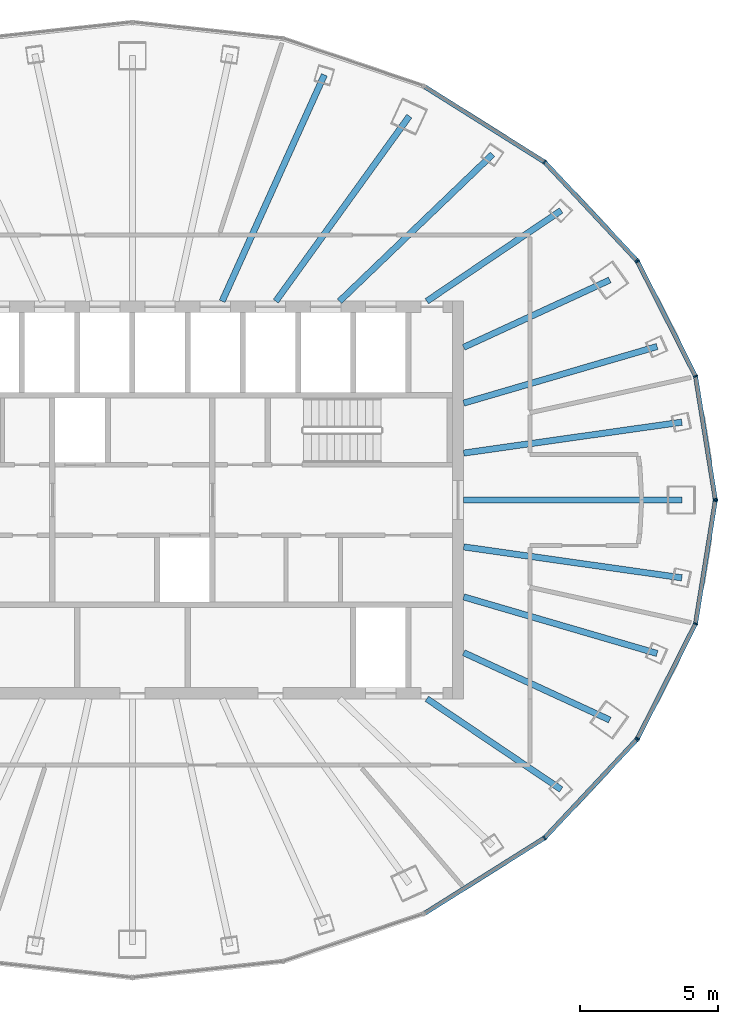
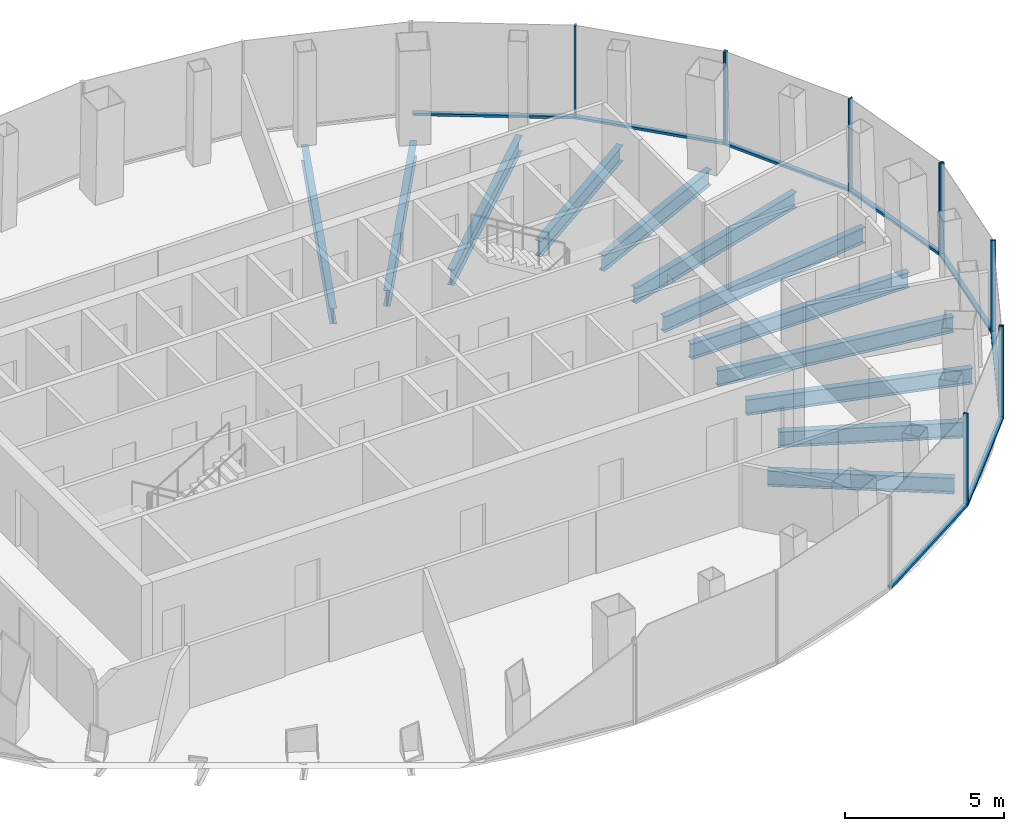
# One storey, part 5 of 11: 18 members, 12 beams, 4 elements without a shape of their own.
"""IFC4 building model written with IfcOpenShell, lengths in metres."""

from ifc_helpers import new_model, si_unit, direction, frame, origin, origin_2d, place, context, subcontext, project, spatial, rectangle, i_section, extrude, material, layer, layer_set, material_profile, profile_set, type_object, element, aggregate, save


model = new_model("IFC4")

# Units and contexts
model_context = context("Model", 3, precision=1e-05, world=origin(), true_north=direction((0.0, 1.0)))
body_context = subcontext(model_context, "Body", "Model", "MODEL_VIEW")
ifc_project = project(units=[si_unit("LENGTHUNIT", "METRE"), si_unit("AREAUNIT", "SQUARE_METRE"), si_unit("VOLUMEUNIT", "CUBIC_METRE"), si_unit("PLANEANGLEUNIT", "RADIAN"), si_unit("MASSUNIT", "GRAM", prefix="KILO")], contexts=[model_context])

# Site, building, storey
site_placement = place(None, origin())
site = spatial("IfcSite", under=ifc_project, at=site_placement, CompositionType="ELEMENT")
building_placement = place(site_placement, origin())
building = spatial("IfcBuilding", under=site, at=building_placement, Name="Siaravel Broadcast Tower", CompositionType="ELEMENT")
storey_placement = place(building_placement, frame((0.0, 0.0, 246.699951171875)))
storey = spatial("IfcBuildingStorey", under=building, at=storey_placement, Name="L60", CompositionType="ELEMENT", Elevation=246.699951171875)

# Beams
ifc_material_1 = material(Name="Steel S355", Category="steel")
ifc_material_profile_1 = material_profile(ifc_material_1, i_section(OverallWidth=0.2275390625, OverallDepth=0.6025390625, WebThickness=0.010498046875, FlangeThickness=0.014892578125, FilletRadius=0.0126953125, at=origin_2d()))
ifc_profile_set_1 = profile_set([ifc_material_profile_1], Name="Steel S355")
beam_type = type_object("IfcBeamType", Name="BM-UB 610x229x101", PredefinedType="BEAM", material=ifc_profile_set_1)
beam_1_placement = place(storey_placement, frame((19.90380859375, 0.0, -0.451171875), z_axis=(-1.0, 0.0, 0.0), x_axis=(0.0, -1.0, 0.0)))
element("IfcBeam", 1, at=beam_1_placement, inside=storey, type_object=beam_type, Name="Radial beam RB01", PredefinedType="BEAM", context=body_context, shape_type="SweptSolid", body=[
    extrude(i_section(OverallWidth=0.2275390625, OverallDepth=0.6025390625, WebThickness=0.010498046875, FlangeThickness=0.014892578125, FilletRadius=0.0126953125, at=origin_2d()), origin(), (0.0, 0.0, 1.0), 7.90380859375),
])
beam_2_placement = place(storey_placement, frame((19.902587890625, 2.819091796875, -0.451171875), z_axis=(-0.990116423, -0.140247885, 0.0), x_axis=(0.140247885, -0.990116423, 0.0)))
element("IfcBeam", 2, at=beam_2_placement, inside=storey, type_object=beam_type, Name="Radial beam RB02", PredefinedType="BEAM", context=body_context, shape_type="SweptSolid", body=[
    extrude(i_section(OverallWidth=0.2275390625, OverallDepth=0.6025390625, WebThickness=0.010498046875, FlangeThickness=0.014892578125, FilletRadius=0.0126953125, at=origin_2d()), origin(), (0.0, 0.0, 1.0), 7.9814453125),
])
beam_3_placement = place(storey_placement, frame((19.006103515625, 5.559326171875, -0.451171875), z_axis=(-0.959783576, -0.28074096, 0.0), x_axis=(0.28074096, -0.959783576, 0.0)))
element("IfcBeam", 3, at=beam_3_placement, inside=storey, type_object=beam_type, Name="Radial beam RB03", PredefinedType="BEAM", context=body_context, shape_type="SweptSolid", body=[
    extrude(i_section(OverallWidth=0.2275390625, OverallDepth=0.6025390625, WebThickness=0.010498046875, FlangeThickness=0.014892578125, FilletRadius=0.0126953125, at=origin_2d()), origin(), (0.0, 0.0, 1.0), 7.299560546875),
])
beam_4_placement = place(storey_placement, frame((17.290771484375, 7.968505859375, -0.451171875), z_axis=(-0.908198422, -0.418539875, 0.0), x_axis=(0.418539875, -0.908198422, 0.0)))
element("IfcBeam", 4, at=beam_4_placement, inside=storey, type_object=beam_type, Name="Radial beam RB04", PredefinedType="BEAM", context=body_context, shape_type="SweptSolid", body=[
    extrude(i_section(OverallWidth=0.2275390625, OverallDepth=0.6025390625, WebThickness=0.010498046875, FlangeThickness=0.014892578125, FilletRadius=0.0126953125, at=origin_2d()), origin(), (0.0, 0.0, 1.0), 5.82568359375),
])
beam_5_placement = place(storey_placement, frame((15.531005859375, 10.486328125, -0.451171875), z_axis=(-0.828780717, -0.559573518, 0.0), x_axis=(0.559573518, -0.828780717, 0.0)))
element("IfcBeam", 5, at=beam_5_placement, inside=storey, type_object=beam_type, Name="Radial beam RB05", PredefinedType="BEAM", context=body_context, shape_type="SweptSolid", body=[
    extrude(i_section(OverallWidth=0.2275390625, OverallDepth=0.6025390625, WebThickness=0.010498046875, FlangeThickness=0.014892578125, FilletRadius=0.0126953125, at=origin_2d()), origin(), (0.0, 0.0, 1.0), 5.873046875),
])
beam_6_placement = place(storey_placement, frame((13.0478515625, 12.52001953125, -0.451171875), z_axis=(-0.721555554, -0.692356543, 0.0), x_axis=(0.692356543, -0.721555554, 0.0)))
element("IfcBeam", 6, at=beam_6_placement, inside=storey, type_object=beam_type, Name="Radial beam RB06", PredefinedType="BEAM", context=body_context, shape_type="SweptSolid", body=[
    extrude(i_section(OverallWidth=0.2275390625, OverallDepth=0.6025390625, WebThickness=0.010498046875, FlangeThickness=0.014892578125, FilletRadius=0.0126953125, at=origin_2d()), origin(), (0.0, 0.0, 1.0), 7.68408203125),
])
beam_7_placement = place(storey_placement, frame((10.031494140625, 13.905029296875, -0.451171875), z_axis=(-0.585061371, -0.810989021, 0.0), x_axis=(0.810989021, -0.585061371, 0.0)))
element("IfcBeam", 7, at=beam_7_placement, inside=storey, type_object=beam_type, Name="Radial beam RB07", PredefinedType="BEAM", context=body_context, shape_type="SweptSolid", body=[
    extrude(i_section(OverallWidth=0.2275390625, OverallDepth=0.6025390625, WebThickness=0.010498046875, FlangeThickness=0.014892578125, FilletRadius=0.0126953125, at=origin_2d()), origin(), (0.0, 0.0, 1.0), 8.267822265625),
])
beam_8_placement = place(storey_placement, frame((6.955078125, 15.400390625, -0.451171875), z_axis=(-0.411581634, -0.911372898, 0.0), x_axis=(0.911372898, -0.411581634, 0.0)))
element("IfcBeam", 8, at=beam_8_placement, inside=storey, type_object=beam_type, Name="Radial beam RB08", PredefinedType="BEAM", context=body_context, shape_type="SweptSolid", body=[
    extrude(i_section(OverallWidth=0.2275390625, OverallDepth=0.6025390625, WebThickness=0.010498046875, FlangeThickness=0.014892578125, FilletRadius=0.0126953125, at=origin_2d()), origin(), (0.0, 0.0, 1.0), 8.997802734375),
])
beam_9_placement = place(storey_placement, frame((15.531005859375, -10.486328125, -0.451171875), z_axis=(-0.828780717, 0.559573518, 0.0), x_axis=(-0.559573518, -0.828780717, 0.0)))
element("IfcBeam", 9, at=beam_9_placement, inside=storey, type_object=beam_type, Name="Radial beam RB33", PredefinedType="BEAM", context=body_context, shape_type="SweptSolid", body=[
    extrude(i_section(OverallWidth=0.2275390625, OverallDepth=0.6025390625, WebThickness=0.010498046875, FlangeThickness=0.014892578125, FilletRadius=0.0126953125, at=origin_2d()), origin(), (0.0, 0.0, 1.0), 5.873046875),
])
beam_10_placement = place(storey_placement, frame((17.290771484375, -7.968505859375, -0.451171875), z_axis=(-0.908198422, 0.418539875, 0.0), x_axis=(-0.418539875, -0.908198422, 0.0)))
element("IfcBeam", 10, at=beam_10_placement, inside=storey, type_object=beam_type, Name="Radial beam RB34", PredefinedType="BEAM", context=body_context, shape_type="SweptSolid", body=[
    extrude(i_section(OverallWidth=0.2275390625, OverallDepth=0.6025390625, WebThickness=0.010498046875, FlangeThickness=0.014892578125, FilletRadius=0.0126953125, at=origin_2d()), origin(), (0.0, 0.0, 1.0), 5.82568359375),
])
beam_11_placement = place(storey_placement, frame((19.006103515625, -5.559326171875, -0.451171875), z_axis=(-0.959783576, 0.28074096, 0.0), x_axis=(-0.28074096, -0.959783576, 0.0)))
element("IfcBeam", 11, at=beam_11_placement, inside=storey, type_object=beam_type, Name="Radial beam RB35", PredefinedType="BEAM", context=body_context, shape_type="SweptSolid", body=[
    extrude(i_section(OverallWidth=0.2275390625, OverallDepth=0.6025390625, WebThickness=0.010498046875, FlangeThickness=0.014892578125, FilletRadius=0.0126953125, at=origin_2d()), origin(), (0.0, 0.0, 1.0), 7.299560546875),
])
beam_12_placement = place(storey_placement, frame((19.902587890625, -2.819091796875, -0.451171875), z_axis=(-0.990116423, 0.140247885, 0.0), x_axis=(-0.140247885, -0.990116423, 0.0)))
element("IfcBeam", 12, at=beam_12_placement, inside=storey, type_object=beam_type, Name="Radial beam RB36", PredefinedType="BEAM", context=body_context, shape_type="SweptSolid", body=[
    extrude(i_section(OverallWidth=0.2275390625, OverallDepth=0.6025390625, WebThickness=0.010498046875, FlangeThickness=0.014892578125, FilletRadius=0.0126953125, at=origin_2d()), origin(), (0.0, 0.0, 1.0), 7.9814453125),
])

# Curtain wall, members
ifc_material_2 = material(Name="Aluminium 6063-T6", Category="aluminium")
ifc_layer = layer(ifc_material_2, 0.159912109375)
ifc_layer_set = layer_set([ifc_layer], Name="Aluminium 6063-T6")
curtain_wall_type = type_object("IfcCurtainWallType", Name="Unitised curtain wall, zone 4", PredefinedType="NOTDEFINED", material=ifc_layer_set)
curtain_wall_1_placement = place(storey_placement, origin())
curtain_wall_1 = element("IfcCurtainWall", 13, at=curtain_wall_1_placement, inside=storey, type_object=curtain_wall_type, Name="L60 Unitised curtain wall, zone 4 01", PredefinedType="NOTDEFINED")
ifc_material_profile_2 = material_profile(ifc_material_2, rectangle(XDim=0.159912109375, YDim=0.054931640625, at=origin_2d()))
ifc_profile_set_2 = profile_set([ifc_material_profile_2], Name="Aluminium 6063-T6")
member_type_1 = type_object("IfcMemberType", Name="CW-Z4 mullion", PredefinedType="MULLION", material=ifc_profile_set_2)
member_1_placement = place(storey_placement, frame((21.11328125, 0.027099609375, 0.0), z_axis=(0.0, 0.0, 1.0), x_axis=(-0.987329304, -0.158684735, 0.0)))
member_1 = element("IfcMember", 14, at=member_1_placement, type_object=member_type_1, Name="CW-Z4 mullion 1", PredefinedType="MULLION", context=body_context, shape_type="SweptSolid", body=[
    extrude(rectangle(XDim=0.159912109375, YDim=0.054931640625, at=origin_2d()), origin(), (0.0, 0.0, 1.0), 3.550048828125),
])
member_2_placement = place(storey_placement, frame((20.3974609375, 4.48193359375, 0.0), z_axis=(0.0, 0.0, 1.0), x_axis=(-0.951177611, -0.308644055, 0.0)))
member_2 = element("IfcMember", 15, at=member_2_placement, type_object=member_type_1, Name="CW-Z4 mullion 2", PredefinedType="MULLION", context=body_context, shape_type="SweptSolid", body=[
    extrude(rectangle(XDim=0.159912109375, YDim=0.054931640625, at=origin_2d()), origin(), (0.0, 0.0, 1.0), 3.550048828125),
])
member_3_placement = place(storey_placement, frame((18.298583984375, 8.6328125, 0.0), z_axis=(0.0, 0.0, 1.0), x_axis=(-0.892392891, -0.451259268, 0.0)))
member_3 = element("IfcMember", 16, at=member_3_placement, type_object=member_type_1, Name="CW-Z4 mullion 3", PredefinedType="MULLION", context=body_context, shape_type="SweptSolid", body=[
    extrude(rectangle(XDim=0.159912109375, YDim=0.054931640625, at=origin_2d()), origin(), (0.0, 0.0, 1.0), 3.550048828125),
])

curtain_wall_2_placement = place(storey_placement, origin())
curtain_wall_2 = element("IfcCurtainWall", 17, at=curtain_wall_2_placement, inside=storey, type_object=curtain_wall_type, Name="L60 Unitised curtain wall, zone 4 02", PredefinedType="NOTDEFINED")
member_4_placement = place(storey_placement, frame((18.267333984375, 8.67724609375, 0.0), z_axis=(0.0, 0.0, 1.0), x_axis=(-0.729806527, -0.683653738, 0.0)))
member_4 = element("IfcMember", 18, at=member_4_placement, type_object=member_type_1, Name="CW-Z4 mullion 1", PredefinedType="MULLION", context=body_context, shape_type="SweptSolid", body=[
    extrude(rectangle(XDim=0.159912109375, YDim=0.054931640625, at=origin_2d()), origin(), (0.0, 0.0, 1.0), 3.550048828125),
])
member_5_placement = place(storey_placement, frame((14.928955078125, 12.2412109375, 0.0), z_axis=(0.0, 0.0, 1.0), x_axis=(-0.636219923, -0.771507751, 0.0)))
member_5 = element("IfcMember", 19, at=member_5_placement, type_object=member_type_1, Name="CW-Z4 mullion 2", PredefinedType="MULLION", context=body_context, shape_type="SweptSolid", body=[
    extrude(rectangle(XDim=0.159912109375, YDim=0.054931640625, at=origin_2d()), origin(), (0.0, 0.0, 1.0), 3.550048828125),
])

curtain_wall_3_placement = place(storey_placement, origin())
curtain_wall_3 = element("IfcCurtainWall", 20, at=curtain_wall_3_placement, inside=storey, type_object=curtain_wall_type, Name="L60 Unitised curtain wall, zone 4 11", PredefinedType="NOTDEFINED")
member_6_placement = place(storey_placement, frame((14.928955078125, -12.2412109375, 0.0), z_axis=(0.0, 0.0, 1.0), x_axis=(-0.636219923, 0.771507751, 0.0)))
member_6 = element("IfcMember", 21, at=member_6_placement, type_object=member_type_1, Name="CW-Z4 mullion 2", PredefinedType="MULLION", context=body_context, shape_type="SweptSolid", body=[
    extrude(rectangle(XDim=0.159912109375, YDim=0.054931640625, at=origin_2d()), origin(), (0.0, 0.0, 1.0), 3.550048828125),
])
member_7_placement = place(storey_placement, frame((18.267333984375, -8.67724609375, 0.0), z_axis=(0.0, 0.0, 1.0), x_axis=(-0.729806527, 0.683653738, 0.0)))
member_7 = element("IfcMember", 22, at=member_7_placement, type_object=member_type_1, Name="CW-Z4 mullion 3", PredefinedType="MULLION", context=body_context, shape_type="SweptSolid", body=[
    extrude(rectangle(XDim=0.159912109375, YDim=0.054931640625, at=origin_2d()), origin(), (0.0, 0.0, 1.0), 3.550048828125),
])

curtain_wall_4_placement = place(storey_placement, origin())
curtain_wall_4 = element("IfcCurtainWall", 23, at=curtain_wall_4_placement, inside=storey, type_object=curtain_wall_type, Name="L60 Unitised curtain wall, zone 4 12", PredefinedType="NOTDEFINED")
member_8_placement = place(storey_placement, frame((18.298583984375, -8.6328125, 0.0), z_axis=(0.0, 0.0, 1.0), x_axis=(-0.892392891, 0.451259268, 0.0)))
member_8 = element("IfcMember", 24, at=member_8_placement, type_object=member_type_1, Name="CW-Z4 mullion 1", PredefinedType="MULLION", context=body_context, shape_type="SweptSolid", body=[
    extrude(rectangle(XDim=0.159912109375, YDim=0.054931640625, at=origin_2d()), origin(), (0.0, 0.0, 1.0), 3.550048828125),
])
member_9_placement = place(storey_placement, frame((20.3974609375, -4.48193359375, 0.0), z_axis=(0.0, 0.0, 1.0), x_axis=(-0.951177611, 0.308644055, 0.0)))
member_9 = element("IfcMember", 25, at=member_9_placement, type_object=member_type_1, Name="CW-Z4 mullion 2", PredefinedType="MULLION", context=body_context, shape_type="SweptSolid", body=[
    extrude(rectangle(XDim=0.159912109375, YDim=0.054931640625, at=origin_2d()), origin(), (0.0, 0.0, 1.0), 3.550048828125),
])
member_10_placement = place(storey_placement, frame((21.11328125, -0.027099609375, 0.0), z_axis=(0.0, 0.0, 1.0), x_axis=(-0.987329304, 0.158684735, 0.0)))
member_10 = element("IfcMember", 26, at=member_10_placement, type_object=member_type_1, Name="CW-Z4 mullion 3", PredefinedType="MULLION", context=body_context, shape_type="SweptSolid", body=[
    extrude(rectangle(XDim=0.159912109375, YDim=0.054931640625, at=origin_2d()), origin(), (0.0, 0.0, 1.0), 3.550048828125),
])

# Member
ifc_material_profile_3 = material_profile(ifc_material_2, rectangle(XDim=0.159912109375, YDim=0.090087890625, at=origin_2d()))
ifc_profile_set_3 = profile_set([ifc_material_profile_3], Name="Aluminium 6063-T6")
member_type_2 = type_object("IfcMemberType", Name="CW-Z4 transom", PredefinedType="USERDEFINED", material=ifc_profile_set_3)
member_11_placement = place(storey_placement, frame((21.109130859375, 0.05419921875, 0.045166015625), z_axis=(-0.15868477, 0.987329299, 0.0), x_axis=(-0.987329299, -0.15868477, 0.0)))
member_11 = element("IfcMember", 27, at=member_11_placement, type_object=member_type_2, Name="CW-Z4 transom 1", ObjectType="TRANSOM", PredefinedType="USERDEFINED", context=body_context, shape_type="SweptSolid", body=[
    extrude(rectangle(XDim=0.159912109375, YDim=0.090087890625, at=origin_2d()), origin(), (0.0, 0.0, 1.0), 4.45703125),
])

member_12_placement = place(storey_placement, frame((20.385009765625, 4.506591796875, 0.045166015625), z_axis=(-0.451288387, 0.892378166, 0.0), x_axis=(-0.892378166, -0.451288387, 0.0)))
member_12 = element("IfcMember", 28, at=member_12_placement, type_object=member_type_2, Name="CW-Z4 transom 2", ObjectType="TRANSOM", PredefinedType="USERDEFINED", context=body_context, shape_type="SweptSolid", body=[
    extrude(rectangle(XDim=0.159912109375, YDim=0.090087890625, at=origin_2d()), origin(), (0.0, 0.0, 1.0), 4.59619140625),
])

aggregate(curtain_wall_1, [member_1, member_2, member_3, member_11, member_12])

member_13_placement = place(storey_placement, frame((18.24853515625, 8.697509765625, 0.045166015625), z_axis=(-0.683646721, 0.7298131, 0.0), x_axis=(-0.7298131, -0.683646721, 0.0)))
member_13 = element("IfcMember", 29, at=member_13_placement, type_object=member_type_2, Name="CW-Z4 transom 1", ObjectType="TRANSOM", PredefinedType="USERDEFINED", context=body_context, shape_type="SweptSolid", body=[
    extrude(rectangle(XDim=0.159912109375, YDim=0.090087890625, at=origin_2d()), origin(), (0.0, 0.0, 1.0), 4.828125),
])

member_14_placement = place(storey_placement, frame((14.905517578125, 12.255859375, 0.045166015625), z_axis=(-0.84666808, 0.532121379, 0.0), x_axis=(-0.532121379, -0.84666808, 0.0)))
member_14 = element("IfcMember", 30, at=member_14_placement, type_object=member_type_2, Name="CW-Z4 transom 2", ObjectType="TRANSOM", PredefinedType="USERDEFINED", context=body_context, shape_type="SweptSolid", body=[
    extrude(rectangle(XDim=0.159912109375, YDim=0.090087890625, at=origin_2d()), origin(), (0.0, 0.0, 1.0), 5.0830078125),
])

aggregate(curtain_wall_2, [member_4, member_5, member_13, member_14])

member_15_placement = place(storey_placement, frame((10.601806640625, -14.960693359375, 0.045166015625), z_axis=(0.84666808, 0.532121379, 0.0), x_axis=(-0.532121379, 0.84666808, 0.0)))
member_15 = element("IfcMember", 31, at=member_15_placement, type_object=member_type_2, Name="CW-Z4 transom 1", ObjectType="TRANSOM", PredefinedType="USERDEFINED", context=body_context, shape_type="SweptSolid", body=[
    extrude(rectangle(XDim=0.159912109375, YDim=0.090087890625, at=origin_2d()), origin(), (0.0, 0.0, 1.0), 5.0830078125),
])

member_16_placement = place(storey_placement, frame((14.94775390625, -12.22119140625, 0.045166015625), z_axis=(0.683646721, 0.7298131, 0.0), x_axis=(-0.7298131, 0.683646721, 0.0)))
member_16 = element("IfcMember", 32, at=member_16_placement, type_object=member_type_2, Name="CW-Z4 transom 2", ObjectType="TRANSOM", PredefinedType="USERDEFINED", context=body_context, shape_type="SweptSolid", body=[
    extrude(rectangle(XDim=0.159912109375, YDim=0.090087890625, at=origin_2d()), origin(), (0.0, 0.0, 1.0), 4.828125),
])

aggregate(curtain_wall_3, [member_6, member_7, member_15, member_16])

member_17_placement = place(storey_placement, frame((18.310791015625, -8.608154296875, 0.045166015625), z_axis=(0.451288387, 0.892378166, 0.0), x_axis=(-0.892378166, 0.451288387, 0.0)))
member_17 = element("IfcMember", 33, at=member_17_placement, type_object=member_type_2, Name="CW-Z4 transom 1", ObjectType="TRANSOM", PredefinedType="USERDEFINED", context=body_context, shape_type="SweptSolid", body=[
    extrude(rectangle(XDim=0.159912109375, YDim=0.090087890625, at=origin_2d()), origin(), (0.0, 0.0, 1.0), 4.59619140625),
])

member_18_placement = place(storey_placement, frame((20.40185546875, -4.454833984375, 0.045166015625), z_axis=(0.15868477, 0.987329299, 0.0), x_axis=(-0.987329299, 0.15868477, 0.0)))
member_18 = element("IfcMember", 34, at=member_18_placement, type_object=member_type_2, Name="CW-Z4 transom 2", ObjectType="TRANSOM", PredefinedType="USERDEFINED", context=body_context, shape_type="SweptSolid", body=[
    extrude(rectangle(XDim=0.159912109375, YDim=0.090087890625, at=origin_2d()), origin(), (0.0, 0.0, 1.0), 4.45703125),
])

aggregate(curtain_wall_4, [member_8, member_9, member_10, member_17, member_18])

save(model, "model.ifc")
